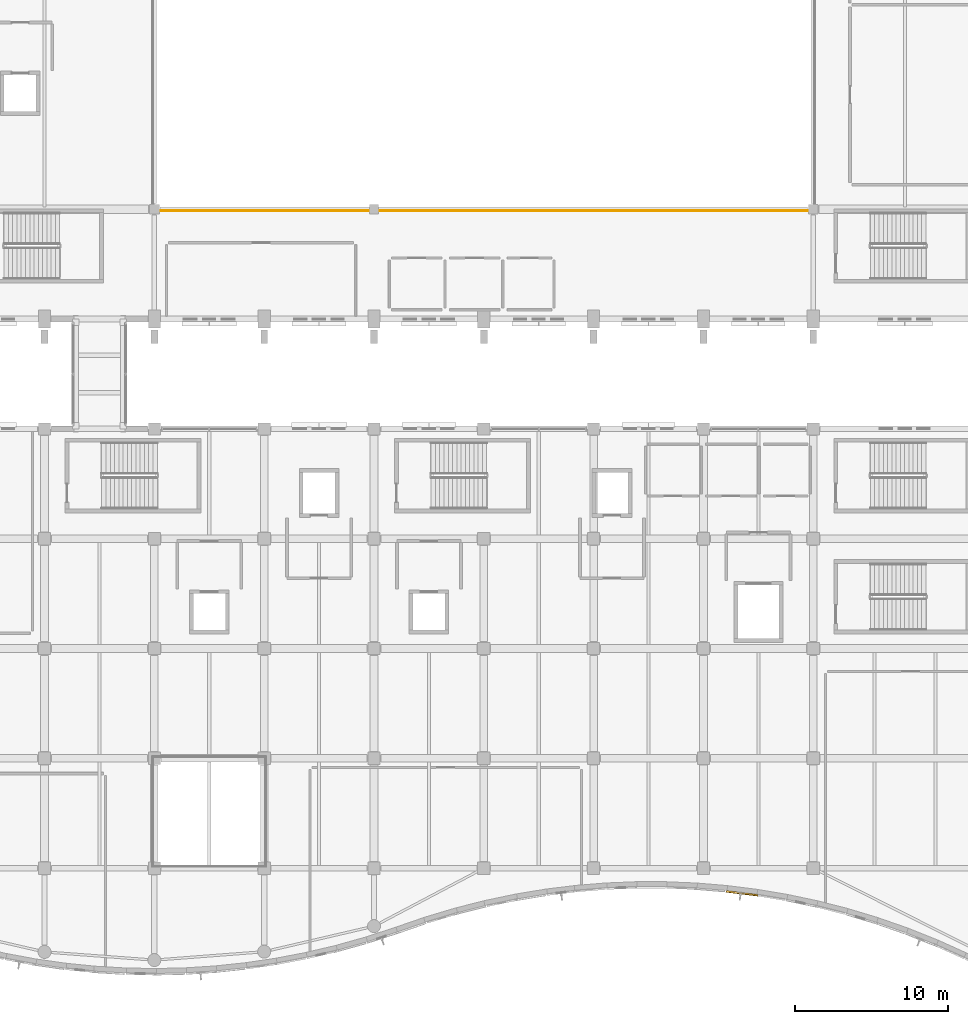
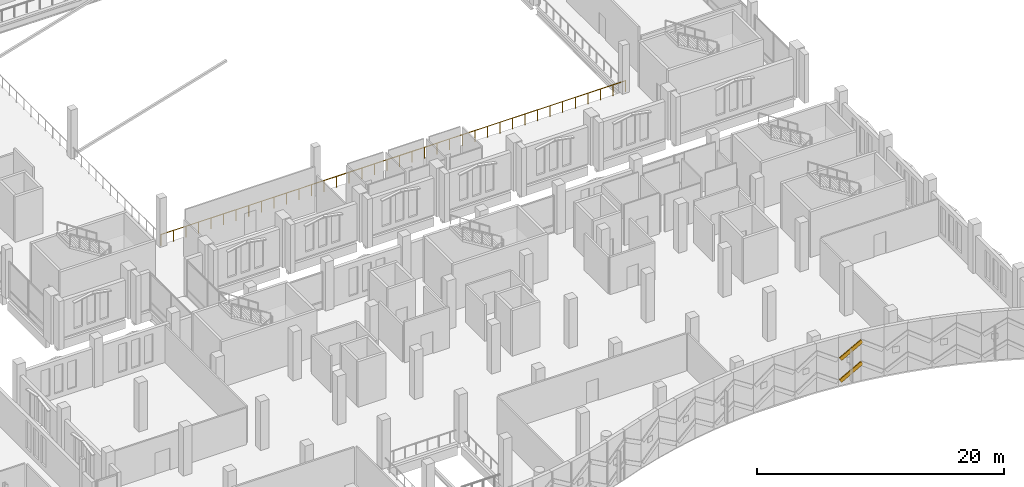
# One storey, part 208 of 220: 2 coverings, 1 railing.
"""IFC4 building model written with IfcOpenShell, lengths in metres."""

from ifc_helpers import new_model, si_unit, direction, frame, origin, origin_2d, place, context, subcontext, project, spatial, polyline, circle, outline, extrude, material, layer, layer_set, type_object, element, save


model = new_model("IFC4")

# Units and contexts
model_context = context("Model", 3, precision=1e-05, world=origin(), true_north=direction((0.0, 1.0)))
body_context = subcontext(model_context, "Body", "Model", "MODEL_VIEW")
ifc_project = project(units=[si_unit("LENGTHUNIT", "METRE"), si_unit("AREAUNIT", "SQUARE_METRE"), si_unit("VOLUMEUNIT", "CUBIC_METRE"), si_unit("PLANEANGLEUNIT", "RADIAN"), si_unit("MASSUNIT", "GRAM", prefix="KILO")], contexts=[model_context])

# Site, building, storey
site_placement = place(None, origin())
site = spatial("IfcSite", under=ifc_project, at=site_placement, CompositionType="ELEMENT")
building_placement = place(site_placement, origin())
building = spatial("IfcBuilding", under=site, at=building_placement, Name="Cendralis Lancet Convention Centre", CompositionType="ELEMENT")
storey_placement = place(building_placement, frame((0.0, 0.0, 5.39990234375)))
storey = spatial("IfcBuildingStorey", under=building, at=storey_placement, Name="L01", CompositionType="ELEMENT", Elevation=5.39990234375)

# Coverings
ifc_material_1 = material(Name="Warm buff sandstone chevron cassette", Category="masonry")
ifc_layer_1 = layer(ifc_material_1, 0.06005859375, Name="Warm buff sandstone chevron cassette")
ifc_layer_set_1 = layer_set([ifc_layer_1], Name="Warm buff sandstone chevron cassette")
covering_type_1 = type_object("IfcCoveringType", Name="ARC-CV-CLAD1", PredefinedType="CLADDING", material=ifc_layer_set_1)
covering_1_placement = place(storey_placement, frame((191.083984375, 5.627197265625, 0.650146484375), z_axis=(-0.559465637372, 0.070168142649, 0.825878097758), x_axis=(0.819559202528, -0.101968410326, 0.563848522963)))
element("IfcCovering", 1, at=covering_1_placement, inside=storey, type_object=covering_type_1, Name="L01 Diagonal Stone Chevron Relief CL-ST1 #0571", PredefinedType="CLADDING", context=body_context, shape_type="SweptSolid", body=[
    extrude(outline(polyline([(0.0, 0.0), (2.3056829080779346, -2.8189256484623115e-17), (2.3057599188019724, 0.10998390168530642), (0.00010190535546519483, 0.10974163853382578), (0.0, 0.0)])), origin(), (0.0, 0.0, -1.0), 0.360107421875),
])
ifc_material_2 = material(Name="Dark Andean slate chevron cassette", Category="masonry")
ifc_layer_2 = layer(ifc_material_2, 0.06005859375, Name="Dark Andean slate chevron cassette")
ifc_layer_set_2 = layer_set([ifc_layer_2], Name="Dark Andean slate chevron cassette")
covering_type_2 = type_object("IfcCoveringType", Name="ARC-CV-CLAD2", PredefinedType="CLADDING", material=ifc_layer_set_2)
covering_2_placement = place(storey_placement, frame((191.083984375, 5.627197265625, 2.800048828125), z_axis=(-0.559465637372, 0.070168142649, 0.825878097758), x_axis=(0.819559202528, -0.101968410326, 0.563848522963)))
element("IfcCovering", 2, at=covering_2_placement, inside=storey, type_object=covering_type_2, Name="L01 Diagonal Stone Chevron Relief CL-ST2 #0572", PredefinedType="CLADDING", context=body_context, shape_type="SweptSolid", body=[
    extrude(outline(polyline([(0.0, 0.0), (2.3056829080779346, -2.8189256484623115e-17), (2.3057599188019724, 0.10998390168530642), (0.00010190535546519483, 0.10974163853382578), (0.0, 0.0)])), origin(), (0.0, 0.0, -1.0), 0.360107421875),
])

# Railing
ifc_material_3 = material(Name="Steel S355", Category="steel")
railing_type = type_object("IfcRailingType", Name="ARC-RL-IG01", PredefinedType="GUARDRAIL", material=ifc_material_3)
railing_placement = place(storey_placement, frame((153.5, 50.300048828125, 0.0)))
element("IfcRailing", 3, at=railing_placement, inside=storey, type_object=railing_type, Name="L01 Atrium Void Guardrail GD-IN1 #005", PredefinedType="GUARDRAIL", context=body_context, shape_type="SweptSolid", body=[
    extrude(circle(Radius=0.02392578125, at=origin_2d()), frame((0.0, 0.0, 1.076171875), z_axis=(1.0, 0.0, 0.0), x_axis=(0.0, 1.0, 0.0)), (0.0, 0.0, 1.0), 43.39990234375),
    extrude(circle(Radius=0.02099609375, at=origin_2d()), origin(), (0.0, 0.0, 1.0), 1.052001953125),
    extrude(circle(Radius=0.02099609375, at=origin_2d()), frame((1.1728515625, 0.0, 0.0)), (0.0, 0.0, 1.0), 1.052001953125),
    extrude(circle(Radius=0.02099609375, at=origin_2d()), frame((2.345947265625, 0.0, 0.0)), (0.0, 0.0, 1.0), 1.052001953125),
    extrude(circle(Radius=0.02099609375, at=origin_2d()), frame((3.518798828125, 0.0, 0.0)), (0.0, 0.0, 1.0), 1.052001953125),
    extrude(circle(Radius=0.02099609375, at=origin_2d()), frame((4.69189453125, 0.0, 0.0)), (0.0, 0.0, 1.0), 1.052001953125),
    extrude(circle(Radius=0.02099609375, at=origin_2d()), frame((5.86474609375, 0.0, 0.0)), (0.0, 0.0, 1.0), 1.052001953125),
    extrude(circle(Radius=0.02099609375, at=origin_2d()), frame((7.037841796875, 0.0, 0.0)), (0.0, 0.0, 1.0), 1.052001953125),
    extrude(circle(Radius=0.02099609375, at=origin_2d()), frame((8.210693359375, 0.0, 0.0)), (0.0, 0.0, 1.0), 1.052001953125),
    extrude(circle(Radius=0.02099609375, at=origin_2d()), frame((9.3837890625, 0.0, 0.0)), (0.0, 0.0, 1.0), 1.052001953125),
    extrude(circle(Radius=0.02099609375, at=origin_2d()), frame((10.556640625, 0.0, 0.0)), (0.0, 0.0, 1.0), 1.052001953125),
    extrude(circle(Radius=0.02099609375, at=origin_2d()), frame((11.729736328125, 0.0, 0.0)), (0.0, 0.0, 1.0), 1.052001953125),
    extrude(circle(Radius=0.02099609375, at=origin_2d()), frame((12.902587890625, 0.0, 0.0)), (0.0, 0.0, 1.0), 1.052001953125),
    extrude(circle(Radius=0.02099609375, at=origin_2d()), frame((14.07568359375, 0.0, 0.0)), (0.0, 0.0, 1.0), 1.052001953125),
    extrude(circle(Radius=0.02099609375, at=origin_2d()), frame((15.24853515625, 0.0, 0.0)), (0.0, 0.0, 1.0), 1.052001953125),
    extrude(circle(Radius=0.02099609375, at=origin_2d()), frame((16.421630859375, 0.0, 0.0)), (0.0, 0.0, 1.0), 1.052001953125),
    extrude(circle(Radius=0.02099609375, at=origin_2d()), frame((17.594482421875, 0.0, 0.0)), (0.0, 0.0, 1.0), 1.052001953125),
    extrude(circle(Radius=0.02099609375, at=origin_2d()), frame((18.767578125, 0.0, 0.0)), (0.0, 0.0, 1.0), 1.052001953125),
    extrude(circle(Radius=0.02099609375, at=origin_2d()), frame((19.9404296875, 0.0, 0.0)), (0.0, 0.0, 1.0), 1.052001953125),
    extrude(circle(Radius=0.02099609375, at=origin_2d()), frame((21.113525390625, 0.0, 0.0)), (0.0, 0.0, 1.0), 1.052001953125),
    extrude(circle(Radius=0.02099609375, at=origin_2d()), frame((22.286376953125, 0.0, 0.0)), (0.0, 0.0, 1.0), 1.052001953125),
    extrude(circle(Radius=0.02099609375, at=origin_2d()), frame((23.45947265625, 0.0, 0.0)), (0.0, 0.0, 1.0), 1.052001953125),
    extrude(circle(Radius=0.02099609375, at=origin_2d()), frame((24.63232421875, 0.0, 0.0)), (0.0, 0.0, 1.0), 1.052001953125),
    extrude(circle(Radius=0.02099609375, at=origin_2d()), frame((25.805419921875, 0.0, 0.0)), (0.0, 0.0, 1.0), 1.052001953125),
    extrude(circle(Radius=0.02099609375, at=origin_2d()), frame((26.978271484375, 0.0, 0.0)), (0.0, 0.0, 1.0), 1.052001953125),
    extrude(circle(Radius=0.02099609375, at=origin_2d()), frame((28.1513671875, 0.0, 0.0)), (0.0, 0.0, 1.0), 1.052001953125),
    extrude(circle(Radius=0.02099609375, at=origin_2d()), frame((29.32421875, 0.0, 0.0)), (0.0, 0.0, 1.0), 1.052001953125),
    extrude(circle(Radius=0.02099609375, at=origin_2d()), frame((30.497314453125, 0.0, 0.0)), (0.0, 0.0, 1.0), 1.052001953125),
    extrude(circle(Radius=0.02099609375, at=origin_2d()), frame((31.670166015625, 0.0, 0.0)), (0.0, 0.0, 1.0), 1.052001953125),
    extrude(circle(Radius=0.02099609375, at=origin_2d()), frame((32.84326171875, 0.0, 0.0)), (0.0, 0.0, 1.0), 1.052001953125),
    extrude(circle(Radius=0.02099609375, at=origin_2d()), frame((34.01611328125, 0.0, 0.0)), (0.0, 0.0, 1.0), 1.052001953125),
    extrude(circle(Radius=0.02099609375, at=origin_2d()), frame((35.189208984375, 0.0, 0.0)), (0.0, 0.0, 1.0), 1.052001953125),
    extrude(circle(Radius=0.02099609375, at=origin_2d()), frame((36.362060546875, 0.0, 0.0)), (0.0, 0.0, 1.0), 1.052001953125),
    extrude(circle(Radius=0.02099609375, at=origin_2d()), frame((37.53515625, 0.0, 0.0)), (0.0, 0.0, 1.0), 1.052001953125),
    extrude(circle(Radius=0.02099609375, at=origin_2d()), frame((38.7080078125, 0.0, 0.0)), (0.0, 0.0, 1.0), 1.052001953125),
    extrude(circle(Radius=0.02099609375, at=origin_2d()), frame((39.881103515625, 0.0, 0.0)), (0.0, 0.0, 1.0), 1.052001953125),
    extrude(circle(Radius=0.02099609375, at=origin_2d()), frame((41.053955078125, 0.0, 0.0)), (0.0, 0.0, 1.0), 1.052001953125),
    extrude(circle(Radius=0.02099609375, at=origin_2d()), frame((42.22705078125, 0.0, 0.0)), (0.0, 0.0, 1.0), 1.052001953125),
    extrude(circle(Radius=0.02099609375, at=origin_2d()), frame((43.39990234375, 0.0, 0.0)), (0.0, 0.0, 1.0), 1.052001953125),
])

save(model, "model.ifc")
